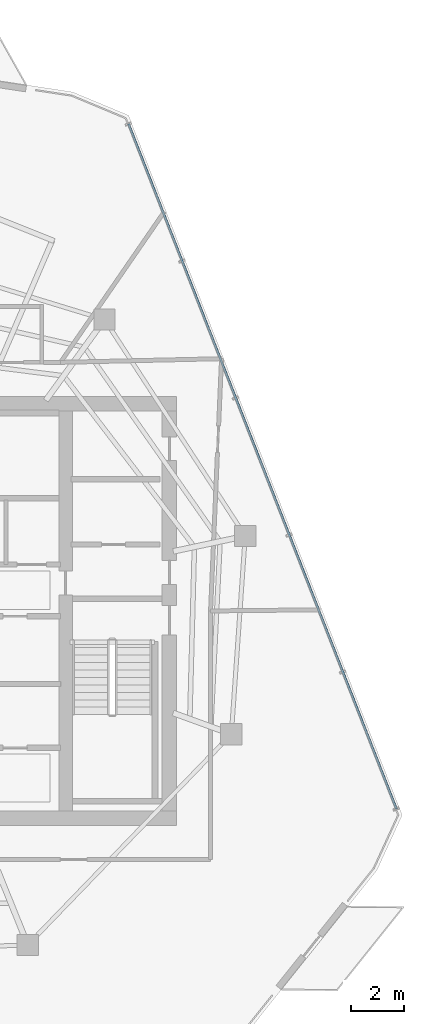
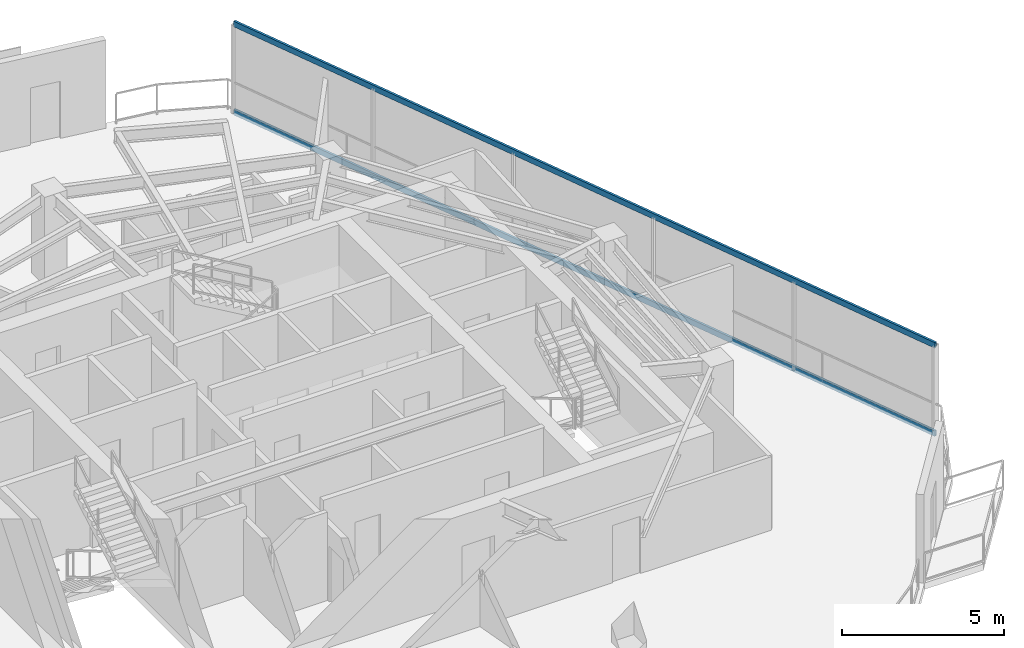
# One storey, part 11 of 19: 2 members, 1 element without a shape of its own.
"""IFC4 building model written with IfcOpenShell, lengths in metres."""

from ifc_helpers import new_model, si_unit, direction, frame, origin, origin_2d, place, context, subcontext, project, spatial, hollow_rectangle, extrude, material, layer, layer_set, material_profile, profile_set, type_object, element, aggregate, save


model = new_model("IFC4")

# Units and contexts
model_context = context("Model", 3, precision=1e-05, world=origin(), true_north=direction((0.0, 1.0)))
body_context = subcontext(model_context, "Body", "Model", "MODEL_VIEW")
ifc_project = project(units=[si_unit("LENGTHUNIT", "METRE"), si_unit("AREAUNIT", "SQUARE_METRE"), si_unit("VOLUMEUNIT", "CUBIC_METRE"), si_unit("PLANEANGLEUNIT", "RADIAN"), si_unit("MASSUNIT", "GRAM", prefix="KILO")], contexts=[model_context])

# Site, building, storey
site_placement = place(None, origin())
site = spatial("IfcSite", under=ifc_project, at=site_placement, CompositionType="ELEMENT")
building_placement = place(site_placement, origin())
building = spatial("IfcBuilding", under=site, at=building_placement, Name="Qarnah Convention Tower", CompositionType="ELEMENT")
storey_placement = place(building_placement, frame((0.0, 0.0, 260.699951171875)))
storey = spatial("IfcBuildingStorey", under=building, at=storey_placement, Name="L70", CompositionType="ELEMENT", Elevation=260.699951171875)

# Curtain wall, members
ifc_material_1 = material(Name="Tempered Low-E dark glass", Category="glass")
ifc_layer = layer(ifc_material_1, 0.176025390625)
ifc_layer_set = layer_set([ifc_layer], Name="Tempered Low-E dark glass")
curtain_wall_type = type_object("IfcCurtainWallType", Name="CWS-05", PredefinedType="NOTDEFINED", material=ifc_layer_set)
curtain_wall_placement = place(storey_placement, origin())
curtain_wall = element("IfcCurtainWall", 1, at=curtain_wall_placement, inside=storey, type_object=curtain_wall_type, Name="L70 unitised curtain wall CW-L70-F2", PredefinedType="NOTDEFINED")
ifc_material_2 = material(Name="Black anodised aluminium", Category="aluminium")
ifc_material_profile = material_profile(ifc_material_2, hollow_rectangle(XDim=0.080078125, YDim=0.2099609375, WallThickness=0.0048828125, at=origin_2d()), Name="TRN-80X210")
ifc_profile_set = profile_set([ifc_material_profile], Name="Black anodised aluminium")
member_type = type_object("IfcMemberType", Name="TRN-T5", PredefinedType="USERDEFINED", material=ifc_profile_set)
member_1_placement = place(storey_placement, frame((46.06396484375, 44.718017578125, 0.0), z_axis=(0.364216978962, -0.93131412114, 0.0), x_axis=(0.93131412114, 0.364216978962, 0.0)))
member_1 = element("IfcMember", 2, at=member_1_placement, type_object=member_type, Name="CW-L70-F2 transom 1", ObjectType="TRANSOM", PredefinedType="USERDEFINED", context=body_context, shape_type="SweptSolid", body=[
    extrude(hollow_rectangle(XDim=0.080078125, YDim=0.2099609375, WallThickness=0.0048828125, at=origin_2d()), origin(), (0.0, 0.0, 1.0), 27.661865234375),
])
member_2_placement = place(storey_placement, frame((46.06396484375, 44.718017578125, 3.320068359375), z_axis=(0.364216978962, -0.93131412114, 0.0), x_axis=(0.93131412114, 0.364216978962, 0.0)))
member_2 = element("IfcMember", 3, at=member_2_placement, type_object=member_type, Name="CW-L70-F2 transom 2", ObjectType="TRANSOM", PredefinedType="USERDEFINED", context=body_context, shape_type="SweptSolid", body=[
    extrude(hollow_rectangle(XDim=0.080078125, YDim=0.2099609375, WallThickness=0.0048828125, at=origin_2d()), origin(), (0.0, 0.0, 1.0), 27.661865234375),
])
aggregate(curtain_wall, [member_1, member_2])

save(model, "model.ifc")
